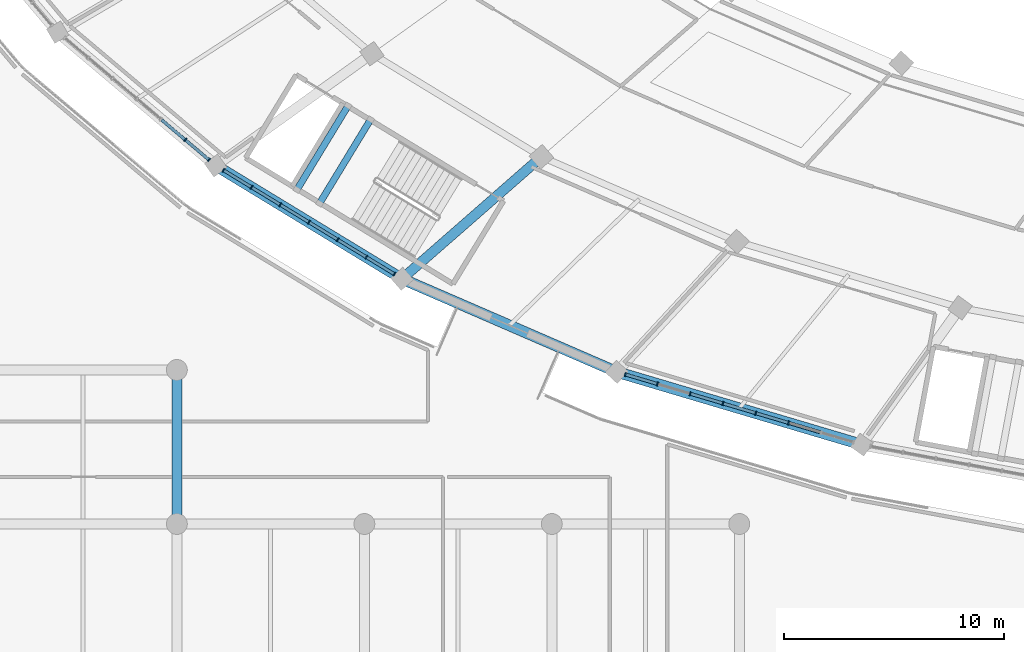
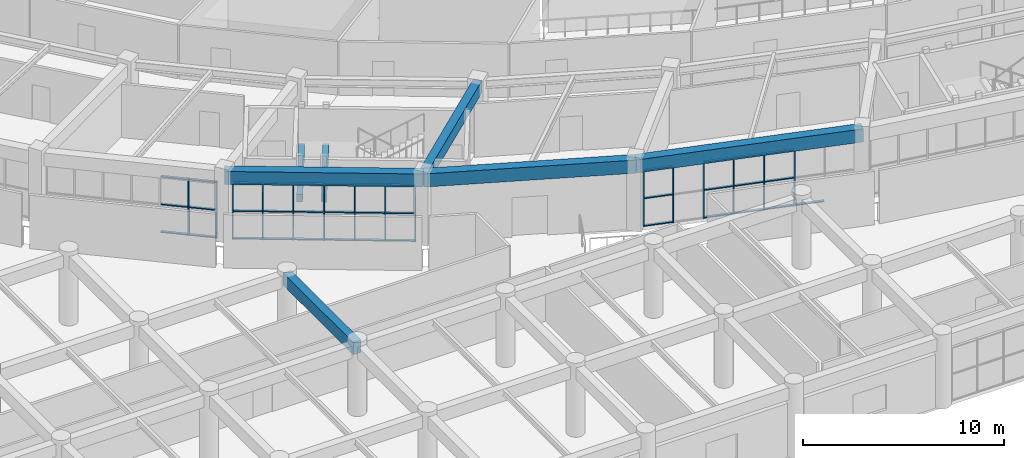
# One storey, part 15 of 141: 52 members, 7 beams, 3 elements without a shape of their own.
"""IFC4 building model written with IfcOpenShell, lengths in metres."""

from ifc_helpers import new_model, si_unit, direction, frame, origin, origin_2d, place, context, subcontext, project, spatial, rectangle, extrude, material, layer, layer_set, material_profile, profile_set, type_object, element, aggregate, save


model = new_model("IFC4")

# Units and contexts
model_context = context("Model", 3, precision=1e-05, world=origin(), true_north=direction((0.0, 1.0)))
body_context = subcontext(model_context, "Body", "Model", "MODEL_VIEW")
ifc_project = project(units=[si_unit("LENGTHUNIT", "METRE"), si_unit("AREAUNIT", "SQUARE_METRE"), si_unit("VOLUMEUNIT", "CUBIC_METRE"), si_unit("PLANEANGLEUNIT", "RADIAN"), si_unit("MASSUNIT", "GRAM", prefix="KILO")], contexts=[model_context])

# Site, building, storey
site_placement = place(None, origin())
site = spatial("IfcSite", under=ifc_project, at=site_placement, CompositionType="ELEMENT")
building_placement = place(site_placement, origin())
building = spatial("IfcBuilding", under=site, at=building_placement, Name="Mphavela Belvedere Stadium", CompositionType="ELEMENT")
storey_placement = place(building_placement, frame((0.0, 0.0, 14.699951171875)))
storey = spatial("IfcBuildingStorey", under=building, at=storey_placement, Name="L03", CompositionType="ELEMENT", Elevation=14.699951171875)

# Beams
ifc_material_1 = material(Name="Concrete C40/50", Category="concrete")
ifc_material_profile_1 = material_profile(ifc_material_1, rectangle(XDim=0.300048828125, YDim=0.449951171875, at=origin_2d()), Name="RC 300x450")
ifc_profile_set_1 = profile_set([ifc_material_profile_1], Name="Concrete C40/50")
beam_type_1 = type_object("IfcBeamType", Name="BM-RC300x450", PredefinedType="BEAM", material=ifc_profile_set_1)
for number, where, z_axis, x_axis, name in (
    (1, (42.879150390625, 32.381591796875, 1.824951171875), (-0.519674893272, -0.854364094109, 0.0), (0.854364094109, -0.519674893272, 0.0), "Core C10 landing trimmer beam L03-1"),
    (2, (41.85400390625, 33.005126953125, 1.824951171875), (-0.519674893272, -0.854364094109, 0.0), (0.854364094109, -0.519674893272, 0.0), "Core C10 landing trimmer beam L03-2"),
):
    element("IfcBeam", number, at=place(storey_placement, frame(where, z_axis=z_axis, x_axis=x_axis)), inside=storey, type_object=beam_type_1, Name=name, PredefinedType="BEAM", context=body_context, shape_type="SweptSolid", body=[
        extrude(rectangle(XDim=0.300048828125, YDim=0.449951171875, at=origin_2d()), origin(), (0.0, 0.0, 1.0), 4.47021484375),
    ])
ifc_material_2 = material(Name="Concrete C40/50", Category="concrete")
ifc_material_profile_2 = material_profile(ifc_material_2, rectangle(XDim=0.449951171875, YDim=0.75, at=origin_2d()), Name="RC 450x750")
ifc_profile_set_2 = profile_set([ifc_material_profile_2], Name="Concrete C40/50")
beam_type_2 = type_object("IfcBeamType", Name="BM-RC450x750", PredefinedType="BEAM", material=ifc_profile_set_2)
beam_1_placement = place(storey_placement, frame((50.639892578125, 30.68310546875, 3.875), z_axis=(-0.752589268993, -0.658490236978, 0.0), x_axis=(0.658490236978, -0.752589268993, 0.0)))
element("IfcBeam", 3, at=beam_1_placement, inside=storey, type_object=beam_type_2, Name="Radial concourse girder L03 R3R4-32", PredefinedType="BEAM", context=body_context, shape_type="SweptSolid", body=[
    extrude(rectangle(XDim=0.449951171875, YDim=0.75, at=origin_2d()), origin(), (0.0, 0.0, 1.0), 8.419189453125),
])
beam_2_placement = place(storey_placement, frame((34.073974609375, 14.0, 3.864990234375), z_axis=(0.0, 1.0, 0.0), x_axis=(-1.0, 0.0, 0.0)))
element("IfcBeam", 4, at=beam_2_placement, inside=storey, type_object=beam_type_2, Name="South Axial Triumphal Peristyle Portico entablature beam Y L03 5-3", PredefinedType="BEAM", context=body_context, shape_type="SweptSolid", body=[
    extrude(rectangle(XDim=0.449951171875, YDim=0.75, at=origin_2d()), origin(), (0.0, 0.0, 1.0), 7.0),
])
ifc_material_3 = material(Name="Concrete C40/50", Category="concrete")
ifc_material_profile_3 = material_profile(ifc_material_3, rectangle(XDim=0.5, YDim=0.800048828125, at=origin_2d()), Name="RC 500x800")
ifc_profile_set_3 = profile_set([ifc_material_profile_3], Name="Concrete C40/50")
beam_type_3 = type_object("IfcBeamType", Name="BM-SPANDREL-800", PredefinedType="SPANDREL", material=ifc_profile_set_3)
beam_3_placement = place(storey_placement, frame((35.844482421875, 30.285400390625, 3.85009765625), z_axis=(0.854326607994, -0.51973651678, 0.0), x_axis=(0.51973651678, 0.854326607994, 0.0)))
element("IfcBeam", 5, at=beam_3_placement, inside=storey, type_object=beam_type_3, Name="Circumferential girder L03 R4-31", PredefinedType="SPANDREL", context=body_context, shape_type="SweptSolid", body=[
    extrude(rectangle(XDim=0.5, YDim=0.800048828125, at=origin_2d()), origin(), (0.0, 0.0, 1.0), 9.901611328125),
])
beam_4_placement = place(storey_placement, frame((44.3037109375, 25.13916015625, 3.85009765625), z_axis=(0.91749867224, -0.397738842004, 0.0), x_axis=(0.397738842004, 0.91749867224, 0.0)))
element("IfcBeam", 6, at=beam_4_placement, inside=storey, type_object=beam_type_3, Name="Circumferential girder L03 R4-32", PredefinedType="SPANDREL", context=body_context, shape_type="SweptSolid", body=[
    extrude(rectangle(XDim=0.5, YDim=0.800048828125, at=origin_2d()), origin(), (0.0, 0.0, 1.0), 10.63623046875),
])
beam_5_placement = place(storey_placement, frame((54.0625, 20.90869140625, 3.85009765625), z_axis=(0.958656362639, -0.284566298727, 0.0), x_axis=(0.284566298727, 0.958656362639, 0.0)))
element("IfcBeam", 7, at=beam_5_placement, inside=storey, type_object=beam_type_3, Name="Circumferential girder L03 R4-33", PredefinedType="SPANDREL", context=body_context, shape_type="SweptSolid", body=[
    extrude(rectangle(XDim=0.5, YDim=0.800048828125, at=origin_2d()), origin(), (0.0, 0.0, 1.0), 11.616455078125),
])

# Curtain wall, members
ifc_material_4 = material(Name="Anodised bronze unitised curtain wall framing")
ifc_layer_1 = layer(ifc_material_4, 0.179931640625)
ifc_layer_set_1 = layer_set([ifc_layer_1], Name="Anodised bronze unitised curtain wall framing")
curtain_wall_type_1 = type_object("IfcCurtainWallType", Name="CW-UNIT-01", PredefinedType="USERDEFINED", material=ifc_layer_set_1)
curtain_wall_1_placement = place(storey_placement, origin())
curtain_wall_1 = element("IfcCurtainWall", 8, at=curtain_wall_1_placement, inside=storey, type_object=curtain_wall_type_1, Name="Belvedere colonnade curtain wall L03-30", ObjectType="UNITISED CURTAIN WALL", PredefinedType="USERDEFINED")
ifc_material_5 = material(Name="Anodised bronze extruded aluminium", Category="aluminium")
ifc_material_profile_4 = material_profile(ifc_material_5, rectangle(XDim=0.179931640625, YDim=0.06494140625, at=origin_2d()), Name="CW-MUL 180x65")
ifc_profile_set_4 = profile_set([ifc_material_profile_4], Name="Anodised bronze extruded aluminium")
member_type_1 = type_object("IfcMemberType", Name="CWM-180x65", PredefinedType="MULLION", material=ifc_profile_set_4)
member_1_placement = place(storey_placement, frame((34.457275390625, 31.4560546875, 0.0), z_axis=(0.0, 0.0, 1.0), x_axis=(0.644904906656, 0.764262822183, 0.0)))
member_1 = element("IfcMember", 9, at=member_1_placement, type_object=member_type_1, Name="CW-01 mullion 6", PredefinedType="MULLION", context=body_context, shape_type="SweptSolid", body=[
    extrude(rectangle(XDim=0.179931640625, YDim=0.06494140625, at=origin_2d()), origin(), (0.0, 0.0, 1.0), 3.420166015625),
])
member_2_placement = place(storey_placement, frame((35.534423828125, 30.547119140625, 0.0), z_axis=(0.0, 0.0, 1.0), x_axis=(0.644904906656, 0.764262822183, 0.0)))
member_2 = element("IfcMember", 10, at=member_2_placement, type_object=member_type_1, Name="CW-01 mullion 7", PredefinedType="MULLION", context=body_context, shape_type="SweptSolid", body=[
    extrude(rectangle(XDim=0.179931640625, YDim=0.06494140625, at=origin_2d()), origin(), (0.0, 0.0, 1.0), 3.420166015625),
])

ifc_material_6 = material(Name="Anodised bronze unitised curtain wall framing")
ifc_layer_2 = layer(ifc_material_6, 0.18505859375)
ifc_layer_set_2 = layer_set([ifc_layer_2], Name="Anodised bronze unitised curtain wall framing")
curtain_wall_type_2 = type_object("IfcCurtainWallType", Name="CW-UNIT-02", PredefinedType="USERDEFINED", material=ifc_layer_set_2)
curtain_wall_2_placement = place(storey_placement, origin())
curtain_wall_2 = element("IfcCurtainWall", 11, at=curtain_wall_2_placement, inside=storey, type_object=curtain_wall_type_2, Name="Belvedere colonnade curtain wall L03-31", ObjectType="UNITISED CURTAIN WALL", PredefinedType="USERDEFINED")
member_3_placement = place(storey_placement, frame((36.19091796875, 30.07470703125, 0.0), z_axis=(0.0, 0.0, 1.0), x_axis=(0.519738342169, 0.8543254975, 0.0)))
member_3 = element("IfcMember", 12, at=member_3_placement, type_object=member_type_1, Name="CW-02 mullion 1", PredefinedType="MULLION", context=body_context, shape_type="SweptSolid", body=[
    extrude(rectangle(XDim=0.179931640625, YDim=0.06494140625, at=origin_2d()), origin(), (0.0, 0.0, 1.0), 3.420166015625),
])
member_4_placement = place(storey_placement, frame((37.466796875, 29.298583984375, 0.0), z_axis=(0.0, 0.0, 1.0), x_axis=(0.519738342169, 0.8543254975, 0.0)))
member_4 = element("IfcMember", 13, at=member_4_placement, type_object=member_type_1, Name="CW-02 mullion 2", PredefinedType="MULLION", context=body_context, shape_type="SweptSolid", body=[
    extrude(rectangle(XDim=0.179931640625, YDim=0.06494140625, at=origin_2d()), origin(), (0.0, 0.0, 1.0), 3.420166015625),
])
member_5_placement = place(storey_placement, frame((38.7705078125, 28.50537109375, 0.0), z_axis=(0.0, 0.0, 1.0), x_axis=(0.519738342169, 0.8543254975, 0.0)))
member_5 = element("IfcMember", 14, at=member_5_placement, type_object=member_type_1, Name="CW-02 mullion 3", PredefinedType="MULLION", context=body_context, shape_type="SweptSolid", body=[
    extrude(rectangle(XDim=0.179931640625, YDim=0.06494140625, at=origin_2d()), origin(), (0.0, 0.0, 1.0), 3.420166015625),
])
member_6_placement = place(storey_placement, frame((40.07421875, 27.71240234375, 0.0), z_axis=(0.0, 0.0, 1.0), x_axis=(0.519738342169, 0.8543254975, 0.0)))
member_6 = element("IfcMember", 15, at=member_6_placement, type_object=member_type_1, Name="CW-02 mullion 4", PredefinedType="MULLION", context=body_context, shape_type="SweptSolid", body=[
    extrude(rectangle(XDim=0.179931640625, YDim=0.06494140625, at=origin_2d()), origin(), (0.0, 0.0, 1.0), 3.420166015625),
])
member_7_placement = place(storey_placement, frame((41.377685546875, 26.919189453125, 0.0), z_axis=(0.0, 0.0, 1.0), x_axis=(0.519738342169, 0.8543254975, 0.0)))
member_7 = element("IfcMember", 16, at=member_7_placement, type_object=member_type_1, Name="CW-02 mullion 5", PredefinedType="MULLION", context=body_context, shape_type="SweptSolid", body=[
    extrude(rectangle(XDim=0.179931640625, YDim=0.06494140625, at=origin_2d()), origin(), (0.0, 0.0, 1.0), 3.420166015625),
])
member_8_placement = place(storey_placement, frame((42.681396484375, 26.126220703125, 0.0), z_axis=(0.0, 0.0, 1.0), x_axis=(0.519738342169, 0.8543254975, 0.0)))
member_8 = element("IfcMember", 17, at=member_8_placement, type_object=member_type_1, Name="CW-02 mullion 6", PredefinedType="MULLION", context=body_context, shape_type="SweptSolid", body=[
    extrude(rectangle(XDim=0.179931640625, YDim=0.06494140625, at=origin_2d()), origin(), (0.0, 0.0, 1.0), 3.420166015625),
])
member_9_placement = place(storey_placement, frame((43.957275390625, 25.349853515625, 0.0), z_axis=(0.0, 0.0, 1.0), x_axis=(0.519738342169, 0.8543254975, 0.0)))
member_9 = element("IfcMember", 18, at=member_9_placement, type_object=member_type_1, Name="CW-02 mullion 7", PredefinedType="MULLION", context=body_context, shape_type="SweptSolid", body=[
    extrude(rectangle(XDim=0.179931640625, YDim=0.06494140625, at=origin_2d()), origin(), (0.0, 0.0, 1.0), 3.420166015625),
])

ifc_material_7 = material(Name="Anodised bronze unitised curtain wall framing")
ifc_layer_3 = layer(ifc_material_7, 0.18994140625)
ifc_layer_set_3 = layer_set([ifc_layer_3], Name="Anodised bronze unitised curtain wall framing")
curtain_wall_type_3 = type_object("IfcCurtainWallType", Name="CW-UNIT-03", PredefinedType="USERDEFINED", material=ifc_layer_set_3)
curtain_wall_3_placement = place(storey_placement, origin())
curtain_wall_3 = element("IfcCurtainWall", 19, at=curtain_wall_3_placement, inside=storey, type_object=curtain_wall_type_3, Name="Belvedere colonnade curtain wall L03-33", ObjectType="UNITISED CURTAIN WALL", PredefinedType="USERDEFINED")
member_10_placement = place(storey_placement, frame((54.451171875, 20.79345703125, 0.0), z_axis=(0.0, 0.0, 1.0), x_axis=(0.284565000591, 0.958656747975, 0.0)))
member_10 = element("IfcMember", 20, at=member_10_placement, type_object=member_type_1, Name="CW-03 mullion 1", PredefinedType="MULLION", context=body_context, shape_type="SweptSolid", body=[
    extrude(rectangle(XDim=0.179931640625, YDim=0.06494140625, at=origin_2d()), origin(), (0.0, 0.0, 1.0), 3.420166015625),
])
member_11_placement = place(storey_placement, frame((55.90869140625, 20.360595703125, 0.0), z_axis=(0.0, 0.0, 1.0), x_axis=(0.284565000591, 0.958656747975, 0.0)))
member_11 = element("IfcMember", 21, at=member_11_placement, type_object=member_type_1, Name="CW-03 mullion 2", PredefinedType="MULLION", context=body_context, shape_type="SweptSolid", body=[
    extrude(rectangle(XDim=0.179931640625, YDim=0.06494140625, at=origin_2d()), origin(), (0.0, 0.0, 1.0), 3.420166015625),
])
member_12_placement = place(storey_placement, frame((57.3974609375, 19.918701171875, 0.0), z_axis=(0.0, 0.0, 1.0), x_axis=(0.284565000591, 0.958656747975, 0.0)))
member_12 = element("IfcMember", 22, at=member_12_placement, type_object=member_type_1, Name="CW-03 mullion 3", PredefinedType="MULLION", context=body_context, shape_type="SweptSolid", body=[
    extrude(rectangle(XDim=0.179931640625, YDim=0.06494140625, at=origin_2d()), origin(), (0.0, 0.0, 1.0), 3.420166015625),
])
member_13_placement = place(storey_placement, frame((58.88623046875, 19.476806640625, 0.0), z_axis=(0.0, 0.0, 1.0), x_axis=(0.284565000591, 0.958656747975, 0.0)))
member_13 = element("IfcMember", 23, at=member_13_placement, type_object=member_type_1, Name="CW-03 mullion 4", PredefinedType="MULLION", context=body_context, shape_type="SweptSolid", body=[
    extrude(rectangle(XDim=0.179931640625, YDim=0.06494140625, at=origin_2d()), origin(), (0.0, 0.0, 1.0), 3.420166015625),
])
member_14_placement = place(storey_placement, frame((60.375, 19.034912109375, 0.0), z_axis=(0.0, 0.0, 1.0), x_axis=(0.284565000591, 0.958656747975, 0.0)))
member_14 = element("IfcMember", 24, at=member_14_placement, type_object=member_type_1, Name="CW-03 mullion 5", PredefinedType="MULLION", context=body_context, shape_type="SweptSolid", body=[
    extrude(rectangle(XDim=0.179931640625, YDim=0.06494140625, at=origin_2d()), origin(), (0.0, 0.0, 1.0), 3.420166015625),
])
member_15_placement = place(storey_placement, frame((61.86376953125, 18.593017578125, 0.0), z_axis=(0.0, 0.0, 1.0), x_axis=(0.284565000591, 0.958656747975, 0.0)))
member_15 = element("IfcMember", 25, at=member_15_placement, type_object=member_type_1, Name="CW-03 mullion 6", PredefinedType="MULLION", context=body_context, shape_type="SweptSolid", body=[
    extrude(rectangle(XDim=0.179931640625, YDim=0.06494140625, at=origin_2d()), origin(), (0.0, 0.0, 1.0), 3.420166015625),
])

# Member
ifc_material_8 = material(Name="Anodised bronze extruded aluminium", Category="aluminium")
ifc_material_profile_5 = material_profile(ifc_material_8, rectangle(XDim=0.139892578125, YDim=0.06005859375, at=origin_2d()), Name="CW-TRN 140x60")
ifc_profile_set_5 = profile_set([ifc_material_profile_5], Name="Anodised bronze extruded aluminium")
member_type_2 = type_object("IfcMemberType", Name="CWT-140x60", PredefinedType="USERDEFINED", material=ifc_profile_set_5)
member_16_placement = place(storey_placement, frame((33.3798828125, 32.364990234375, 0.030029296875), z_axis=(0.764326982188, -0.644828864351, 0.0), x_axis=(0.644828864351, 0.764326982188, 0.0)))
member_16 = element("IfcMember", 26, at=member_16_placement, type_object=member_type_2, Name="CW-01 transom 5.1", ObjectType="TRANSOM", PredefinedType="USERDEFINED", context=body_context, shape_type="SweptSolid", body=[
    extrude(rectangle(XDim=0.139892578125, YDim=0.06005859375, at=origin_2d()), origin(), (0.0, 0.0, 1.0), 1.376953125),
])

member_17_placement = place(storey_placement, frame((33.3798828125, 32.364990234375, 1.7099609375), z_axis=(0.764326982188, -0.644828864351, 0.0), x_axis=(0.644828864351, 0.764326982188, 0.0)))
member_17 = element("IfcMember", 27, at=member_17_placement, type_object=member_type_2, Name="CW-01 transom 5.2", ObjectType="TRANSOM", PredefinedType="USERDEFINED", context=body_context, shape_type="SweptSolid", body=[
    extrude(rectangle(XDim=0.139892578125, YDim=0.06005859375, at=origin_2d()), origin(), (0.0, 0.0, 1.0), 1.376953125),
])

member_18_placement = place(storey_placement, frame((33.3798828125, 32.364990234375, 3.39013671875), z_axis=(0.764326982188, -0.644828864351, 0.0), x_axis=(0.644828864351, 0.764326982188, 0.0)))
member_18 = element("IfcMember", 28, at=member_18_placement, type_object=member_type_2, Name="CW-01 transom 5.3", ObjectType="TRANSOM", PredefinedType="USERDEFINED", context=body_context, shape_type="SweptSolid", body=[
    extrude(rectangle(XDim=0.139892578125, YDim=0.06005859375, at=origin_2d()), origin(), (0.0, 0.0, 1.0), 1.376953125),
])

member_19_placement = place(storey_placement, frame((34.48193359375, 31.43505859375, 0.030029296875), z_axis=(0.764322248714, -0.644834474978, 0.0), x_axis=(0.644834474978, 0.764322248714, 0.0)))
member_19 = element("IfcMember", 29, at=member_19_placement, type_object=member_type_2, Name="CW-01 transom 6.1", ObjectType="TRANSOM", PredefinedType="USERDEFINED", context=body_context, shape_type="SweptSolid", body=[
    extrude(rectangle(XDim=0.139892578125, YDim=0.06005859375, at=origin_2d()), origin(), (0.0, 0.0, 1.0), 1.344482421875),
])

member_20_placement = place(storey_placement, frame((34.48193359375, 31.43505859375, 1.7099609375), z_axis=(0.764322248714, -0.644834474978, 0.0), x_axis=(0.644834474978, 0.764322248714, 0.0)))
member_20 = element("IfcMember", 30, at=member_20_placement, type_object=member_type_2, Name="CW-01 transom 6.2", ObjectType="TRANSOM", PredefinedType="USERDEFINED", context=body_context, shape_type="SweptSolid", body=[
    extrude(rectangle(XDim=0.139892578125, YDim=0.06005859375, at=origin_2d()), origin(), (0.0, 0.0, 1.0), 1.344482421875),
])

member_21_placement = place(storey_placement, frame((34.48193359375, 31.43505859375, 3.39013671875), z_axis=(0.764322248714, -0.644834474978, 0.0), x_axis=(0.644834474978, 0.764322248714, 0.0)))
member_21 = element("IfcMember", 31, at=member_21_placement, type_object=member_type_2, Name="CW-01 transom 6.3", ObjectType="TRANSOM", PredefinedType="USERDEFINED", context=body_context, shape_type="SweptSolid", body=[
    extrude(rectangle(XDim=0.139892578125, YDim=0.06005859375, at=origin_2d()), origin(), (0.0, 0.0, 1.0), 1.344482421875),
])

aggregate(curtain_wall_1, [member_1, member_2, member_16, member_17, member_18, member_19, member_20, member_21])

member_22_placement = place(storey_placement, frame((36.21875, 30.057861328125, 0.030029296875), z_axis=(0.854294260385, -0.51978968504, 0.0), x_axis=(0.51978968504, 0.854294260385, 0.0)))
member_22 = element("IfcMember", 32, at=member_22_placement, type_object=member_type_2, Name="CW-02 transom 1.1", ObjectType="TRANSOM", PredefinedType="USERDEFINED", context=body_context, shape_type="SweptSolid", body=[
    extrude(rectangle(XDim=0.139892578125, YDim=0.06005859375, at=origin_2d()), origin(), (0.0, 0.0, 1.0), 1.42822265625),
])

member_23_placement = place(storey_placement, frame((36.21875, 30.057861328125, 1.7099609375), z_axis=(0.854294260385, -0.51978968504, 0.0), x_axis=(0.51978968504, 0.854294260385, 0.0)))
member_23 = element("IfcMember", 33, at=member_23_placement, type_object=member_type_2, Name="CW-02 transom 1.2", ObjectType="TRANSOM", PredefinedType="USERDEFINED", context=body_context, shape_type="SweptSolid", body=[
    extrude(rectangle(XDim=0.139892578125, YDim=0.06005859375, at=origin_2d()), origin(), (0.0, 0.0, 1.0), 1.42822265625),
])

member_24_placement = place(storey_placement, frame((36.21875, 30.057861328125, 3.39013671875), z_axis=(0.854294260385, -0.51978968504, 0.0), x_axis=(0.51978968504, 0.854294260385, 0.0)))
member_24 = element("IfcMember", 34, at=member_24_placement, type_object=member_type_2, Name="CW-02 transom 1.3", ObjectType="TRANSOM", PredefinedType="USERDEFINED", context=body_context, shape_type="SweptSolid", body=[
    extrude(rectangle(XDim=0.139892578125, YDim=0.06005859375, at=origin_2d()), origin(), (0.0, 0.0, 1.0), 1.42822265625),
])

member_25_placement = place(storey_placement, frame((37.49462890625, 29.281494140625, 0.030029296875), z_axis=(0.854321163894, -0.519745465515, 0.0), x_axis=(0.519745465515, 0.854321163894, 0.0)))
member_25 = element("IfcMember", 35, at=member_25_placement, type_object=member_type_2, Name="CW-02 transom 2.1", ObjectType="TRANSOM", PredefinedType="USERDEFINED", context=body_context, shape_type="SweptSolid", body=[
    extrude(rectangle(XDim=0.139892578125, YDim=0.06005859375, at=origin_2d()), origin(), (0.0, 0.0, 1.0), 1.4609375),
])

member_26_placement = place(storey_placement, frame((37.49462890625, 29.281494140625, 1.7099609375), z_axis=(0.854321163894, -0.519745465515, 0.0), x_axis=(0.519745465515, 0.854321163894, 0.0)))
member_26 = element("IfcMember", 36, at=member_26_placement, type_object=member_type_2, Name="CW-02 transom 2.2", ObjectType="TRANSOM", PredefinedType="USERDEFINED", context=body_context, shape_type="SweptSolid", body=[
    extrude(rectangle(XDim=0.139892578125, YDim=0.06005859375, at=origin_2d()), origin(), (0.0, 0.0, 1.0), 1.4609375),
])

member_27_placement = place(storey_placement, frame((37.49462890625, 29.281494140625, 3.39013671875), z_axis=(0.854321163894, -0.519745465515, 0.0), x_axis=(0.519745465515, 0.854321163894, 0.0)))
member_27 = element("IfcMember", 37, at=member_27_placement, type_object=member_type_2, Name="CW-02 transom 2.3", ObjectType="TRANSOM", PredefinedType="USERDEFINED", context=body_context, shape_type="SweptSolid", body=[
    extrude(rectangle(XDim=0.139892578125, YDim=0.06005859375, at=origin_2d()), origin(), (0.0, 0.0, 1.0), 1.4609375),
])

member_28_placement = place(storey_placement, frame((38.798095703125, 28.488525390625, 0.030029296875), z_axis=(0.854366299444, -0.519671267606, 0.0), x_axis=(0.519671267606, 0.854366299444, 0.0)))
member_28 = element("IfcMember", 38, at=member_28_placement, type_object=member_type_2, Name="CW-02 transom 3.1", ObjectType="TRANSOM", PredefinedType="USERDEFINED", context=body_context, shape_type="SweptSolid", body=[
    extrude(rectangle(XDim=0.139892578125, YDim=0.06005859375, at=origin_2d()), origin(), (0.0, 0.0, 1.0), 1.461181640625),
])

member_29_placement = place(storey_placement, frame((38.798095703125, 28.488525390625, 1.7099609375), z_axis=(0.854366299444, -0.519671267606, 0.0), x_axis=(0.519671267606, 0.854366299444, 0.0)))
member_29 = element("IfcMember", 39, at=member_29_placement, type_object=member_type_2, Name="CW-02 transom 3.2", ObjectType="TRANSOM", PredefinedType="USERDEFINED", context=body_context, shape_type="SweptSolid", body=[
    extrude(rectangle(XDim=0.139892578125, YDim=0.06005859375, at=origin_2d()), origin(), (0.0, 0.0, 1.0), 1.461181640625),
])

member_30_placement = place(storey_placement, frame((38.798095703125, 28.488525390625, 3.39013671875), z_axis=(0.854366299444, -0.519671267606, 0.0), x_axis=(0.519671267606, 0.854366299444, 0.0)))
member_30 = element("IfcMember", 40, at=member_30_placement, type_object=member_type_2, Name="CW-02 transom 3.3", ObjectType="TRANSOM", PredefinedType="USERDEFINED", context=body_context, shape_type="SweptSolid", body=[
    extrude(rectangle(XDim=0.139892578125, YDim=0.06005859375, at=origin_2d()), origin(), (0.0, 0.0, 1.0), 1.461181640625),
])

member_31_placement = place(storey_placement, frame((40.101806640625, 27.6953125, 0.030029296875), z_axis=(0.854366299444, -0.519671267606, 0.0), x_axis=(0.519671267606, 0.854366299444, 0.0)))
member_31 = element("IfcMember", 41, at=member_31_placement, type_object=member_type_2, Name="CW-02 transom 4.1", ObjectType="TRANSOM", PredefinedType="USERDEFINED", context=body_context, shape_type="SweptSolid", body=[
    extrude(rectangle(XDim=0.139892578125, YDim=0.06005859375, at=origin_2d()), origin(), (0.0, 0.0, 1.0), 1.461181640625),
])

member_32_placement = place(storey_placement, frame((40.101806640625, 27.6953125, 1.7099609375), z_axis=(0.854366299444, -0.519671267606, 0.0), x_axis=(0.519671267606, 0.854366299444, 0.0)))
member_32 = element("IfcMember", 42, at=member_32_placement, type_object=member_type_2, Name="CW-02 transom 4.2", ObjectType="TRANSOM", PredefinedType="USERDEFINED", context=body_context, shape_type="SweptSolid", body=[
    extrude(rectangle(XDim=0.139892578125, YDim=0.06005859375, at=origin_2d()), origin(), (0.0, 0.0, 1.0), 1.461181640625),
])

member_33_placement = place(storey_placement, frame((40.101806640625, 27.6953125, 3.39013671875), z_axis=(0.854366299444, -0.519671267606, 0.0), x_axis=(0.519671267606, 0.854366299444, 0.0)))
member_33 = element("IfcMember", 43, at=member_33_placement, type_object=member_type_2, Name="CW-02 transom 4.3", ObjectType="TRANSOM", PredefinedType="USERDEFINED", context=body_context, shape_type="SweptSolid", body=[
    extrude(rectangle(XDim=0.139892578125, YDim=0.06005859375, at=origin_2d()), origin(), (0.0, 0.0, 1.0), 1.461181640625),
])

member_34_placement = place(storey_placement, frame((41.405517578125, 26.90234375, 0.030029296875), z_axis=(0.854321163894, -0.519745465515, 0.0), x_axis=(0.519745465515, 0.854321163894, 0.0)))
member_34 = element("IfcMember", 44, at=member_34_placement, type_object=member_type_2, Name="CW-02 transom 5.1", ObjectType="TRANSOM", PredefinedType="USERDEFINED", context=body_context, shape_type="SweptSolid", body=[
    extrude(rectangle(XDim=0.139892578125, YDim=0.06005859375, at=origin_2d()), origin(), (0.0, 0.0, 1.0), 1.4609375),
])

member_35_placement = place(storey_placement, frame((41.405517578125, 26.90234375, 1.7099609375), z_axis=(0.854321163894, -0.519745465515, 0.0), x_axis=(0.519745465515, 0.854321163894, 0.0)))
member_35 = element("IfcMember", 45, at=member_35_placement, type_object=member_type_2, Name="CW-02 transom 5.2", ObjectType="TRANSOM", PredefinedType="USERDEFINED", context=body_context, shape_type="SweptSolid", body=[
    extrude(rectangle(XDim=0.139892578125, YDim=0.06005859375, at=origin_2d()), origin(), (0.0, 0.0, 1.0), 1.4609375),
])

member_36_placement = place(storey_placement, frame((41.405517578125, 26.90234375, 3.39013671875), z_axis=(0.854321163894, -0.519745465515, 0.0), x_axis=(0.519745465515, 0.854321163894, 0.0)))
member_36 = element("IfcMember", 46, at=member_36_placement, type_object=member_type_2, Name="CW-02 transom 5.3", ObjectType="TRANSOM", PredefinedType="USERDEFINED", context=body_context, shape_type="SweptSolid", body=[
    extrude(rectangle(XDim=0.139892578125, YDim=0.06005859375, at=origin_2d()), origin(), (0.0, 0.0, 1.0), 1.4609375),
])

member_37_placement = place(storey_placement, frame((42.709228515625, 26.109130859375, 0.030029296875), z_axis=(0.854340431613, -0.519713793266, 0.0), x_axis=(0.519713793266, 0.854340431613, 0.0)))
member_37 = element("IfcMember", 47, at=member_37_placement, type_object=member_type_2, Name="CW-02 transom 6.1", ObjectType="TRANSOM", PredefinedType="USERDEFINED", context=body_context, shape_type="SweptSolid", body=[
    extrude(rectangle(XDim=0.139892578125, YDim=0.06005859375, at=origin_2d()), origin(), (0.0, 0.0, 1.0), 1.428466796875),
])

member_38_placement = place(storey_placement, frame((42.709228515625, 26.109130859375, 1.7099609375), z_axis=(0.854340431613, -0.519713793266, 0.0), x_axis=(0.519713793266, 0.854340431613, 0.0)))
member_38 = element("IfcMember", 48, at=member_38_placement, type_object=member_type_2, Name="CW-02 transom 6.2", ObjectType="TRANSOM", PredefinedType="USERDEFINED", context=body_context, shape_type="SweptSolid", body=[
    extrude(rectangle(XDim=0.139892578125, YDim=0.06005859375, at=origin_2d()), origin(), (0.0, 0.0, 1.0), 1.428466796875),
])

member_39_placement = place(storey_placement, frame((42.709228515625, 26.109130859375, 3.39013671875), z_axis=(0.854340431613, -0.519713793266, 0.0), x_axis=(0.519713793266, 0.854340431613, 0.0)))
member_39 = element("IfcMember", 49, at=member_39_placement, type_object=member_type_2, Name="CW-02 transom 6.3", ObjectType="TRANSOM", PredefinedType="USERDEFINED", context=body_context, shape_type="SweptSolid", body=[
    extrude(rectangle(XDim=0.139892578125, YDim=0.06005859375, at=origin_2d()), origin(), (0.0, 0.0, 1.0), 1.428466796875),
])

aggregate(curtain_wall_2, [member_3, member_4, member_5, member_6, member_7, member_8, member_9, member_22, member_23, member_24, member_25, member_26, member_27, member_28, member_29, member_30, member_31, member_32, member_33, member_34, member_35, member_36, member_37, member_38, member_39])

member_40_placement = place(storey_placement, frame((54.482421875, 20.7841796875, 0.030029296875), z_axis=(0.958630418167, -0.284653686724, 0.0), x_axis=(0.284653686724, 0.958630418167, 0.0)))
member_40 = element("IfcMember", 50, at=member_40_placement, type_object=member_type_2, Name="CW-03 transom 1.1", ObjectType="TRANSOM", PredefinedType="USERDEFINED", context=body_context, shape_type="SweptSolid", body=[
    extrude(rectangle(XDim=0.139892578125, YDim=0.06005859375, at=origin_2d()), origin(), (0.0, 0.0, 1.0), 1.45556640625),
])

member_41_placement = place(storey_placement, frame((54.482421875, 20.7841796875, 1.7099609375), z_axis=(0.958630418167, -0.284653686724, 0.0), x_axis=(0.284653686724, 0.958630418167, 0.0)))
member_41 = element("IfcMember", 51, at=member_41_placement, type_object=member_type_2, Name="CW-03 transom 1.2", ObjectType="TRANSOM", PredefinedType="USERDEFINED", context=body_context, shape_type="SweptSolid", body=[
    extrude(rectangle(XDim=0.139892578125, YDim=0.06005859375, at=origin_2d()), origin(), (0.0, 0.0, 1.0), 1.45556640625),
])

member_42_placement = place(storey_placement, frame((54.482421875, 20.7841796875, 3.39013671875), z_axis=(0.958630418167, -0.284653686724, 0.0), x_axis=(0.284653686724, 0.958630418167, 0.0)))
member_42 = element("IfcMember", 52, at=member_42_placement, type_object=member_type_2, Name="CW-03 transom 1.3", ObjectType="TRANSOM", PredefinedType="USERDEFINED", context=body_context, shape_type="SweptSolid", body=[
    extrude(rectangle(XDim=0.139892578125, YDim=0.06005859375, at=origin_2d()), origin(), (0.0, 0.0, 1.0), 1.45556640625),
])

member_43_placement = place(storey_placement, frame((57.4287109375, 19.909423828125, 0.030029296875), z_axis=(0.958662254845, -0.284546448117, 0.0), x_axis=(0.284546448117, 0.958662254845, 0.0)))
member_43 = element("IfcMember", 53, at=member_43_placement, type_object=member_type_2, Name="CW-03 transom 3.1", ObjectType="TRANSOM", PredefinedType="USERDEFINED", context=body_context, shape_type="SweptSolid", body=[
    extrude(rectangle(XDim=0.139892578125, YDim=0.06005859375, at=origin_2d()), origin(), (0.0, 0.0, 1.0), 1.48779296875),
])

member_44_placement = place(storey_placement, frame((57.4287109375, 19.909423828125, 1.7099609375), z_axis=(0.958662254845, -0.284546448117, 0.0), x_axis=(0.284546448117, 0.958662254845, 0.0)))
member_44 = element("IfcMember", 54, at=member_44_placement, type_object=member_type_2, Name="CW-03 transom 3.2", ObjectType="TRANSOM", PredefinedType="USERDEFINED", context=body_context, shape_type="SweptSolid", body=[
    extrude(rectangle(XDim=0.139892578125, YDim=0.06005859375, at=origin_2d()), origin(), (0.0, 0.0, 1.0), 1.48779296875),
])

member_45_placement = place(storey_placement, frame((57.4287109375, 19.909423828125, 3.39013671875), z_axis=(0.958662254845, -0.284546448117, 0.0), x_axis=(0.284546448117, 0.958662254845, 0.0)))
member_45 = element("IfcMember", 55, at=member_45_placement, type_object=member_type_2, Name="CW-03 transom 3.3", ObjectType="TRANSOM", PredefinedType="USERDEFINED", context=body_context, shape_type="SweptSolid", body=[
    extrude(rectangle(XDim=0.139892578125, YDim=0.06005859375, at=origin_2d()), origin(), (0.0, 0.0, 1.0), 1.48779296875),
])

member_46_placement = place(storey_placement, frame((58.91748046875, 19.467529296875, 0.030029296875), z_axis=(0.958662254845, -0.284546448117, 0.0), x_axis=(0.284546448117, 0.958662254845, 0.0)))
member_46 = element("IfcMember", 56, at=member_46_placement, type_object=member_type_2, Name="CW-03 transom 4.1", ObjectType="TRANSOM", PredefinedType="USERDEFINED", context=body_context, shape_type="SweptSolid", body=[
    extrude(rectangle(XDim=0.139892578125, YDim=0.06005859375, at=origin_2d()), origin(), (0.0, 0.0, 1.0), 1.48779296875),
])

member_47_placement = place(storey_placement, frame((58.91748046875, 19.467529296875, 1.7099609375), z_axis=(0.958662254845, -0.284546448117, 0.0), x_axis=(0.284546448117, 0.958662254845, 0.0)))
member_47 = element("IfcMember", 57, at=member_47_placement, type_object=member_type_2, Name="CW-03 transom 4.2", ObjectType="TRANSOM", PredefinedType="USERDEFINED", context=body_context, shape_type="SweptSolid", body=[
    extrude(rectangle(XDim=0.139892578125, YDim=0.06005859375, at=origin_2d()), origin(), (0.0, 0.0, 1.0), 1.48779296875),
])

member_48_placement = place(storey_placement, frame((58.91748046875, 19.467529296875, 3.39013671875), z_axis=(0.958662254845, -0.284546448117, 0.0), x_axis=(0.284546448117, 0.958662254845, 0.0)))
member_48 = element("IfcMember", 58, at=member_48_placement, type_object=member_type_2, Name="CW-03 transom 4.3", ObjectType="TRANSOM", PredefinedType="USERDEFINED", context=body_context, shape_type="SweptSolid", body=[
    extrude(rectangle(XDim=0.139892578125, YDim=0.06005859375, at=origin_2d()), origin(), (0.0, 0.0, 1.0), 1.48779296875),
])

member_49_placement = place(storey_placement, frame((60.406005859375, 19.025634765625, 0.030029296875), z_axis=(0.958675538205, -0.284501691468, 0.0), x_axis=(0.284501691468, 0.958675538205, 0.0)))
member_49 = element("IfcMember", 59, at=member_49_placement, type_object=member_type_2, Name="CW-03 transom 5.1", ObjectType="TRANSOM", PredefinedType="USERDEFINED", context=body_context, shape_type="SweptSolid", body=[
    extrude(rectangle(XDim=0.139892578125, YDim=0.06005859375, at=origin_2d()), origin(), (0.0, 0.0, 1.0), 1.488037109375),
])

member_50_placement = place(storey_placement, frame((60.406005859375, 19.025634765625, 1.7099609375), z_axis=(0.958675538205, -0.284501691468, 0.0), x_axis=(0.284501691468, 0.958675538205, 0.0)))
member_50 = element("IfcMember", 60, at=member_50_placement, type_object=member_type_2, Name="CW-03 transom 5.2", ObjectType="TRANSOM", PredefinedType="USERDEFINED", context=body_context, shape_type="SweptSolid", body=[
    extrude(rectangle(XDim=0.139892578125, YDim=0.06005859375, at=origin_2d()), origin(), (0.0, 0.0, 1.0), 1.488037109375),
])

member_51_placement = place(storey_placement, frame((60.406005859375, 19.025634765625, 3.39013671875), z_axis=(0.958675538205, -0.284501691468, 0.0), x_axis=(0.284501691468, 0.958675538205, 0.0)))
member_51 = element("IfcMember", 61, at=member_51_placement, type_object=member_type_2, Name="CW-03 transom 5.3", ObjectType="TRANSOM", PredefinedType="USERDEFINED", context=body_context, shape_type="SweptSolid", body=[
    extrude(rectangle(XDim=0.139892578125, YDim=0.06005859375, at=origin_2d()), origin(), (0.0, 0.0, 1.0), 1.488037109375),
])

member_52_placement = place(storey_placement, frame((61.894775390625, 18.583740234375, 0.030029296875), z_axis=(0.958675538205, -0.284501691468, 0.0), x_axis=(0.284501691468, 0.958675538205, 0.0)))
member_52 = element("IfcMember", 62, at=member_52_placement, type_object=member_type_2, Name="CW-03 transom 6.1", ObjectType="TRANSOM", PredefinedType="USERDEFINED", context=body_context, shape_type="SweptSolid", body=[
    extrude(rectangle(XDim=0.139892578125, YDim=0.06005859375, at=origin_2d()), origin(), (0.0, 0.0, 1.0), 1.488037109375),
])

aggregate(curtain_wall_3, [member_10, member_11, member_12, member_13, member_14, member_15, member_40, member_41, member_42, member_43, member_44, member_45, member_46, member_47, member_48, member_49, member_50, member_51, member_52])

save(model, "model.ifc")
